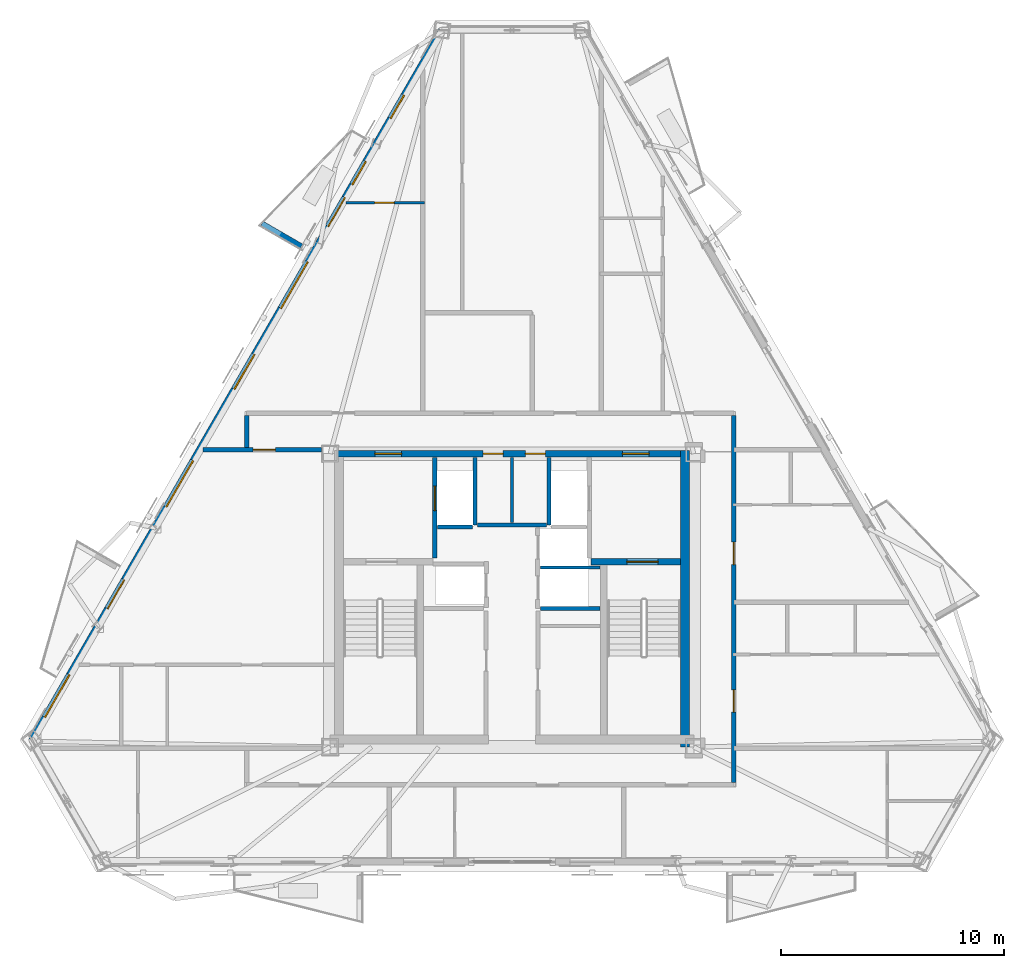
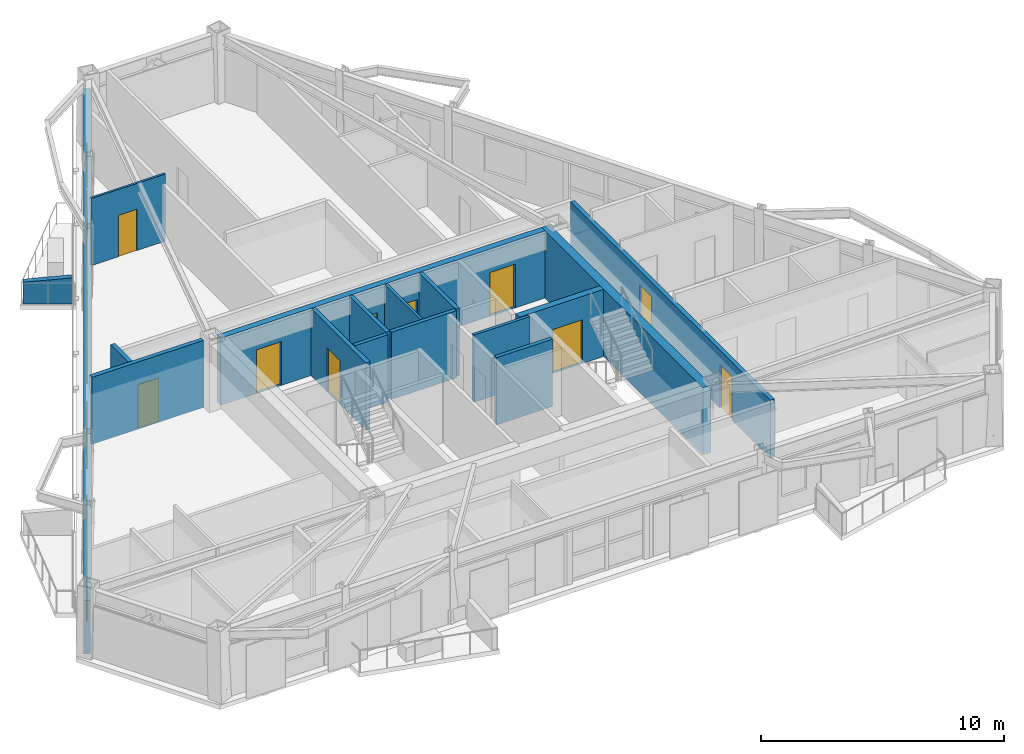
# One storey, part 7 of 12: 17 walls, 12 doors, 6 windows, 18 openings.
"""IFC4 building model written with IfcOpenShell, lengths in metres."""

from ifc_helpers import new_model, si_unit, direction, frame, frame_2d, origin, place, context, subcontext, project, spatial, polyline, rectangle, outline, extrude, material, layer, layer_set, type_object, element, fill, save


model = new_model("IFC4")

# Units and contexts
model_context = context("Model", 3, precision=1e-05, world=origin(), true_north=direction((0.0, 1.0)))
body_context = subcontext(model_context, "Body", "Model", "MODEL_VIEW")
ifc_project = project(units=[si_unit("LENGTHUNIT", "METRE"), si_unit("AREAUNIT", "SQUARE_METRE"), si_unit("VOLUMEUNIT", "CUBIC_METRE"), si_unit("PLANEANGLEUNIT", "RADIAN"), si_unit("MASSUNIT", "GRAM", prefix="KILO")], contexts=[model_context])

# Site, building, storey
site_placement = place(None, origin())
site = spatial("IfcSite", under=ifc_project, at=site_placement, CompositionType="ELEMENT")
building_placement = place(site_placement, origin())
building = spatial("IfcBuilding", under=site, at=building_placement, Name="Oramaril Tower", CompositionType="ELEMENT")
storey_placement = place(building_placement, frame((0.0, 0.0, 227.10009765625)))
storey = spatial("IfcBuildingStorey", under=building, at=storey_placement, Name="L60", CompositionType="ELEMENT", Elevation=227.10009765625)

# Wall, openings, doors, windows
ifc_material_1 = material(Name="Warm Cream Limestone", Category="masonry")
ifc_layer_1 = layer(ifc_material_1, 0.2900390625)
ifc_layer_set_1 = layer_set([ifc_layer_1], Name="WT-EXT29")
wall_type_1 = type_object("IfcWallType", Name="WT-EXT29", PredefinedType="SOLIDWALL", material=ifc_layer_set_1)
wall_1_placement = place(storey_placement, frame((34.343994140625, 43.135009765625, 0.0), z_axis=(0.0, 0.0, 1.0), x_axis=(-0.499998927115, -0.866026023214, 0.0)))
wall_1 = element("IfcWall", 1, at=wall_1_placement, inside=storey, type_object=wall_type_1, Name="L60 Tower Limestone Facade Wall 6M", PredefinedType="SOLIDWALL", context=body_context, shape_type="SweptSolid", body=[
    extrude(rectangle(XDim=36.74169921875, YDim=0.2900390625, at=frame_2d((18.370849609375, 0.0))), origin(), (0.0, 0.0, 1.0), 2.677001953125),
])
opening_1_placement = place(wall_1_placement, frame((8.664306640625, 0.0, 0.0)))
opening_1 = element("IfcOpeningElement", 2, at=opening_1_placement, cuts=wall_1, Name="Opening D-L60-BAL-NW1", PredefinedType="OPENING", context=body_context, shape_type="SweptSolid", body=[
    extrude(rectangle(XDim=1.5, YDim=2.199951171875, at=frame_2d((0.75, 1.10009765625))), frame((0.0, 0.14501953125, 0.0), z_axis=(0.0, -1.0, 0.0), x_axis=(1.0, 0.0, 0.0)), (0.0, 0.0, 1.0), 0.2900390625),
])
opening_2_placement = place(wall_1_placement, frame((28.452392578125, 0.0, 0.0)))
opening_2 = element("IfcOpeningElement", 3, at=opening_2_placement, cuts=wall_1, Name="Opening D-L60-BAL-NW2", PredefinedType="OPENING", context=body_context, shape_type="SweptSolid", body=[
    extrude(rectangle(XDim=1.5, YDim=2.199951171875, at=frame_2d((0.75, 1.10009765625))), frame((0.0, 0.14501953125, 0.0), z_axis=(0.0, -1.0, 0.0), x_axis=(1.0, 0.0, 0.0)), (0.0, 0.0, 1.0), 0.2900390625),
])
opening_3_placement = place(wall_1_placement, frame((22.281982421875, 0.0, 0.85009765625)))
opening_3 = element("IfcOpeningElement", 4, at=opening_3_placement, cuts=wall_1, Name="Opening WN-03", PredefinedType="OPENING", context=body_context, shape_type="SweptSolid", body=[
    extrude(rectangle(XDim=2.39990234375, YDim=1.717041015625, at=frame_2d((1.199951171875, 0.8583984375))), frame((0.0, 0.14501953125, 0.0), z_axis=(0.0, -1.0, 0.0), x_axis=(1.0, 0.0, 0.0)), (0.0, 0.0, 1.0), 0.2900390625),
])
opening_4_placement = place(wall_1_placement, frame((33.36865234375, 0.0, 0.85009765625)))
opening_4 = element("IfcOpeningElement", 5, at=opening_4_placement, cuts=wall_1, Name="Opening WN-04", PredefinedType="OPENING", context=body_context, shape_type="SweptSolid", body=[
    extrude(rectangle(XDim=2.199951171875, YDim=1.717041015625, at=frame_2d((1.10009765625, 0.8583984375))), frame((0.0, 0.14501953125, 0.0), z_axis=(0.0, -1.0, 0.0), x_axis=(1.0, 0.0, 0.0)), (0.0, 0.0, 1.0), 0.2900390625),
])
opening_5_placement = place(wall_1_placement, frame((11.9990234375, 0.0, 0.85009765625)))
opening_5 = element("IfcOpeningElement", 6, at=opening_5_placement, cuts=wall_1, Name="Opening WN-03", PredefinedType="OPENING", context=body_context, shape_type="SweptSolid", body=[
    extrude(rectangle(XDim=2.39990234375, YDim=1.717041015625, at=frame_2d((1.199951171875, 0.8583984375))), frame((0.0, 0.14501953125, 0.0), z_axis=(0.0, -1.0, 0.0), x_axis=(1.0, 0.0, 0.0)), (0.0, 0.0, 1.0), 0.2900390625),
])
opening_6_placement = place(wall_1_placement, frame((16.78271484375, 0.0, 0.85009765625)))
opening_6 = element("IfcOpeningElement", 7, at=opening_6_placement, cuts=wall_1, Name="Opening WN-06", PredefinedType="OPENING", context=body_context, shape_type="SweptSolid", body=[
    extrude(rectangle(XDim=1.800048828125, YDim=1.717041015625, at=frame_2d((0.89990234375, 0.8583984375))), frame((0.0, 0.14501953125, 0.0), z_axis=(0.0, -1.0, 0.0), x_axis=(1.0, 0.0, 0.0)), (0.0, 0.0, 1.0), 0.2900390625),
])
opening_7_placement = place(wall_1_placement, frame((3.365234375, 0.0, 0.85009765625)))
opening_7 = element("IfcOpeningElement", 8, at=opening_7_placement, cuts=wall_1, Name="Opening WN-09", PredefinedType="OPENING", context=body_context, shape_type="SweptSolid", body=[
    extrude(rectangle(XDim=1.199951171875, YDim=1.47998046875, at=frame_2d((0.60009765625, 0.739990234375))), frame((0.0, 0.14501953125, 0.0), z_axis=(0.0, -1.0, 0.0), x_axis=(1.0, 0.0, 0.0)), (0.0, 0.0, 1.0), 0.2900390625),
])
opening_8_placement = place(wall_1_placement, frame((6.79736328125, 0.0, 0.85009765625)))
opening_8 = element("IfcOpeningElement", 9, at=opening_8_placement, cuts=wall_1, Name="Opening WN-09", PredefinedType="OPENING", context=body_context, shape_type="SweptSolid", body=[
    extrude(rectangle(XDim=1.199951171875, YDim=1.47998046875, at=frame_2d((0.60009765625, 0.739990234375))), frame((0.0, 0.14501953125, 0.0), z_axis=(0.0, -1.0, 0.0), x_axis=(1.0, 0.0, 0.0)), (0.0, 0.0, 1.0), 0.2900390625),
])
ifc_material_2 = material(Name="Anodised Aluminium 6063-T6", Category="aluminium")
door_type_1 = type_object("IfcDoorType", Name="DT-BAL", OperationType="NOTDEFINED", PredefinedType="DOOR", material=ifc_material_2)
door_1_placement = place(opening_1_placement, origin())
door_1 = element("IfcDoor", 10, at=door_1_placement, inside=storey, type_object=door_type_1, Name="L60 Balcony Glazed Door L60-BAL-NW1", OperationType="SINGLE_SWING_LEFT", OverallHeight=2.199951171875, OverallWidth=1.5, PredefinedType="DOOR", context=body_context, shape_type="SweptSolid", body=[
    extrude(rectangle(XDim=1.5, YDim=2.199951171875, at=frame_2d((0.75, 1.10009765625))), frame((0.0, 0.02490234375, 0.0), z_axis=(0.0, -1.0, 0.0), x_axis=(1.0, 0.0, 0.0)), (0.0, 0.0, 1.0), 0.050048828125),
])
fill(opening_1, door_1)
door_2_placement = place(opening_2_placement, origin())
door_2 = element("IfcDoor", 11, at=door_2_placement, inside=storey, type_object=door_type_1, Name="L60 Balcony Glazed Door L60-BAL-NW2", OperationType="SINGLE_SWING_RIGHT", OverallHeight=2.199951171875, OverallWidth=1.5, PredefinedType="DOOR", context=body_context, shape_type="SweptSolid", body=[
    extrude(rectangle(XDim=1.5, YDim=2.199951171875, at=frame_2d((0.75, 1.10009765625))), frame((0.0, 0.02490234375, 0.0), z_axis=(0.0, -1.0, 0.0), x_axis=(1.0, 0.0, 0.0)), (0.0, 0.0, 1.0), 0.050048828125),
])
fill(opening_2, door_2)
ifc_material_3 = material(Name="Coastal Low-E Insulated Glass", Category="glass")
window_type_1 = type_object("IfcWindowType", Name="WNT-03", PartitioningType="SINGLE_PANEL", PredefinedType="WINDOW", material=ifc_material_3)
window_1_placement = place(opening_3_placement, origin())
window_1 = element("IfcWindow", 12, at=window_1_placement, inside=storey, type_object=window_type_1, Name="L60 Chicago Bay Window WN-03", OverallHeight=1.717041015625, OverallWidth=2.39990234375, PartitioningType="SINGLE_PANEL", PredefinedType="WINDOW", context=body_context, shape_type="SweptSolid", body=[
    extrude(rectangle(XDim=2.39990234375, YDim=1.717041015625, at=frame_2d((1.199951171875, 0.8583984375))), frame((0.0, 0.030029296875, 0.0), z_axis=(0.0, -1.0, 0.0), x_axis=(1.0, 0.0, 0.0)), (0.0, 0.0, 1.0), 0.06005859375),
])
fill(opening_3, window_1)
window_2_placement = place(opening_5_placement, origin())
window_2 = element("IfcWindow", 13, at=window_2_placement, inside=storey, type_object=window_type_1, Name="L60 Chicago Bay Window WN-03", OverallHeight=1.717041015625, OverallWidth=2.39990234375, PartitioningType="SINGLE_PANEL", PredefinedType="WINDOW", context=body_context, shape_type="SweptSolid", body=[
    extrude(rectangle(XDim=2.39990234375, YDim=1.717041015625, at=frame_2d((1.199951171875, 0.8583984375))), frame((0.0, 0.030029296875, 0.0), z_axis=(0.0, -1.0, 0.0), x_axis=(1.0, 0.0, 0.0)), (0.0, 0.0, 1.0), 0.06005859375),
])
fill(opening_5, window_2)
ifc_material_4 = material(Name="Coastal Low-E Insulated Glass", Category="glass")
window_type_2 = type_object("IfcWindowType", Name="WNT-04", PartitioningType="SINGLE_PANEL", PredefinedType="WINDOW", material=ifc_material_4)
window_3_placement = place(opening_4_placement, origin())
window_3 = element("IfcWindow", 14, at=window_3_placement, inside=storey, type_object=window_type_2, Name="L60 Chicago Bay Window WN-04", OverallHeight=1.717041015625, OverallWidth=2.199951171875, PartitioningType="SINGLE_PANEL", PredefinedType="WINDOW", context=body_context, shape_type="SweptSolid", body=[
    extrude(rectangle(XDim=2.199951171875, YDim=1.717041015625, at=frame_2d((1.10009765625, 0.8583984375))), frame((0.0, 0.030029296875, 0.0), z_axis=(0.0, -1.0, 0.0), x_axis=(1.0, 0.0, 0.0)), (0.0, 0.0, 1.0), 0.06005859375),
])
fill(opening_4, window_3)
ifc_material_5 = material(Name="Coastal Low-E Insulated Glass", Category="glass")
window_type_3 = type_object("IfcWindowType", Name="WNT-06", PartitioningType="SINGLE_PANEL", PredefinedType="WINDOW", material=ifc_material_5)
window_4_placement = place(opening_6_placement, origin())
window_4 = element("IfcWindow", 15, at=window_4_placement, inside=storey, type_object=window_type_3, Name="L60 Chicago Bay Window WN-06", OverallHeight=1.717041015625, OverallWidth=1.800048828125, PartitioningType="SINGLE_PANEL", PredefinedType="WINDOW", context=body_context, shape_type="SweptSolid", body=[
    extrude(rectangle(XDim=1.800048828125, YDim=1.717041015625, at=frame_2d((0.89990234375, 0.8583984375))), frame((0.0, 0.030029296875, 0.0), z_axis=(0.0, -1.0, 0.0), x_axis=(1.0, 0.0, 0.0)), (0.0, 0.0, 1.0), 0.06005859375),
])
fill(opening_6, window_4)
ifc_material_6 = material(Name="Coastal Low-E Insulated Glass", Category="glass")
window_type_4 = type_object("IfcWindowType", Name="WNT-09", PartitioningType="SINGLE_PANEL", PredefinedType="WINDOW", material=ifc_material_6)
window_5_placement = place(opening_7_placement, origin())
window_5 = element("IfcWindow", 16, at=window_5_placement, inside=storey, type_object=window_type_4, Name="L60 Chicago Bay Window WN-09", OverallHeight=1.47998046875, OverallWidth=1.199951171875, PartitioningType="SINGLE_PANEL", PredefinedType="WINDOW", context=body_context, shape_type="SweptSolid", body=[
    extrude(rectangle(XDim=1.199951171875, YDim=1.47998046875, at=frame_2d((0.60009765625, 0.739990234375))), frame((0.0, 0.030029296875, 0.0), z_axis=(0.0, -1.0, 0.0), x_axis=(1.0, 0.0, 0.0)), (0.0, 0.0, 1.0), 0.06005859375),
])
fill(opening_7, window_5)
window_6_placement = place(opening_8_placement, origin())
window_6 = element("IfcWindow", 17, at=window_6_placement, inside=storey, type_object=window_type_4, Name="L60 Chicago Bay Window WN-09", OverallHeight=1.47998046875, OverallWidth=1.199951171875, PartitioningType="SINGLE_PANEL", PredefinedType="WINDOW", context=body_context, shape_type="SweptSolid", body=[
    extrude(rectangle(XDim=1.199951171875, YDim=1.47998046875, at=frame_2d((0.60009765625, 0.739990234375))), frame((0.0, 0.030029296875, 0.0), z_axis=(0.0, -1.0, 0.0), x_axis=(1.0, 0.0, 0.0)), (0.0, 0.0, 1.0), 0.06005859375),
])
fill(opening_8, window_6)

# Wall
ifc_material_7 = material(Name="Concrete C40/50", Category="concrete")
ifc_layer_2 = layer(ifc_material_7, 0.22998046875)
ifc_layer_set_2 = layer_set([ifc_layer_2], Name="WT-PRP23")
wall_type_2 = type_object("IfcWallType", Name="WT-PRP23", PredefinedType="PARAPET", material=ifc_layer_set_2)
wall_2_placement = place(storey_placement, frame((28.061279296875, 33.44921875, 0.0), z_axis=(0.0, 0.0, 1.0), x_axis=(-0.866012356593, 0.500022597718, 0.0)))
element("IfcWall", 18, at=wall_2_placement, inside=storey, type_object=wall_type_2, Name="L60 Trapezoidal Balcony Frame Cheek L60-BAL-NW1-R", PredefinedType="PARAPET", context=body_context, shape_type="SweptSolid", body=[
    extrude(outline(polyline([(0.0, 0.0), (2.0419921875, 0.0), (2.0419921875, 1.099853515625), (0.0, 1.31982421875), (0.0, 0.0)])), frame((0.0, 0.114990234375, 0.0), z_axis=(0.0, -1.0, 0.0), x_axis=(1.0, 0.0, 0.0)), (0.0, 0.0, 1.0), 0.22998046875),
])

# Wall, opening, door
ifc_material_8 = material(Name="Acoustic Gypsum Board Partition")
ifc_layer_3 = layer(ifc_material_8, 0.10009765625)
ifc_layer_set_3 = layer_set([ifc_layer_3], Name="WT-PT10")
wall_type_3 = type_object("IfcWallType", Name="WT-PT10", PredefinedType="PARTITIONING", material=ifc_layer_set_3)
wall_3_placement = place(storey_placement, frame((30.05029296875, 35.39990234375, 0.0), z_axis=(0.0, 0.0, 1.0), x_axis=(1.0, 0.0, 0.0)))
wall_3 = element("IfcWall", 19, at=wall_3_placement, inside=storey, type_object=wall_type_3, Name="L60 Interior Partition PT-10", PredefinedType="PARTITIONING", context=body_context, shape_type="SweptSolid", body=[
    extrude(rectangle(XDim=3.53173828125, YDim=0.10009765625, at=frame_2d((1.765869140625, 0.0))), origin(), (0.0, 0.0, 1.0), 3.3798828125),
])
opening_9_placement = place(wall_3_placement, frame((1.2861328125, 0.0, 0.0)))
opening_9 = element("IfcOpeningElement", 20, at=opening_9_placement, cuts=wall_3, Name="Opening D-L60-17", PredefinedType="OPENING", context=body_context, shape_type="SweptSolid", body=[
    extrude(rectangle(XDim=0.8798828125, YDim=2.080078125, at=frame_2d((0.43994140625, 1.0400390625))), frame((0.0, 0.050048828125, 0.0), z_axis=(0.0, -1.0, 0.0), x_axis=(1.0, 0.0, 0.0)), (0.0, 0.0, 1.0), 0.10009765625),
])
ifc_material_9 = material(Name="FSC Brazilian Freijo Hardwood", Category="wood")
door_type_2 = type_object("IfcDoorType", Name="DT-BATH", OperationType="NOTDEFINED", PredefinedType="DOOR", material=ifc_material_9)
door_3_placement = place(opening_9_placement, origin())
door_3 = element("IfcDoor", 21, at=door_3_placement, inside=storey, type_object=door_type_2, Name="L60 Flat L60-U7 Bathroom Door D-L60-17", OperationType="SINGLE_SWING_LEFT", OverallHeight=2.080078125, OverallWidth=0.8798828125, PredefinedType="DOOR", context=body_context, shape_type="SweptSolid", body=[
    extrude(rectangle(XDim=0.8798828125, YDim=2.080078125, at=frame_2d((0.43994140625, 1.0400390625))), frame((0.0, 0.02490234375, 0.0), z_axis=(0.0, -1.0, 0.0), x_axis=(1.0, 0.0, 0.0)), (0.0, 0.0, 1.0), 0.050048828125),
])
fill(opening_9, door_3)

# Walls
ifc_material_10 = material(Name="Acoustic Gypsum Board Partition")
ifc_layer_4 = layer(ifc_material_10, 0.139892578125)
ifc_layer_set_4 = layer_set([ifc_layer_4], Name="WT-PT14")
wall_type_4 = type_object("IfcWallType", Name="WT-PT14", PredefinedType="PARTITIONING", material=ifc_layer_set_4)
wall_4_placement = place(storey_placement, frame((38.780029296875, 19.050048828125, 0.0), z_axis=(0.0, 0.0, 1.0), x_axis=(1.0, 0.0, 0.0)))
element("IfcWall", 22, at=wall_4_placement, inside=storey, type_object=wall_type_4, Name="L60 High-Rise Lift H2-H3 Divider", PredefinedType="PARTITIONING", context=body_context, shape_type="SweptSolid", body=[
    extrude(rectangle(XDim=2.659912109375, YDim=0.139892578125, at=frame_2d((1.330078125, 0.0))), origin(), (0.0, 0.0, 1.0), 3.3798828125),
])
wall_5_placement = place(storey_placement, frame((37.5, 21.06005859375, 0.0), z_axis=(0.0, 0.0, 1.0), x_axis=(0.0, 1.0, 0.0)))
element("IfcWall", 23, at=wall_5_placement, inside=storey, type_object=wall_type_4, Name="L60 Core Service Divider", PredefinedType="PARTITIONING", context=body_context, shape_type="SweptSolid", body=[
    extrude(rectangle(XDim=2.919921875, YDim=0.139892578125, at=frame_2d((1.4599609375, 0.0))), origin(), (0.0, 0.0, 1.0), 3.3798828125),
])
ifc_material_11 = material(Name="Autoclaved Cellular Concrete Block", Category="concrete")
ifc_layer_5 = layer(ifc_material_11, 0.179931640625)
ifc_layer_set_5 = layer_set([ifc_layer_5], Name="WT-PT18")
wall_type_5 = type_object("IfcWallType", Name="WT-PT18", PredefinedType="PARTITIONING", material=ifc_layer_set_5)
wall_6_placement = place(storey_placement, frame((35.840087890625, 20.9599609375, 0.0), z_axis=(0.0, 0.0, 1.0), x_axis=(0.0, 1.0, 0.0)))
element("IfcWall", 24, at=wall_6_placement, inside=storey, type_object=wall_type_5, Name="L60 FL-1 East Shaft Wall", PredefinedType="PARTITIONING", context=body_context, shape_type="SweptSolid", body=[
    extrude(rectangle(XDim=3.02001953125, YDim=0.179931640625, at=frame_2d((1.510009765625, 0.0))), origin(), (0.0, 0.0, 1.0), 3.3798828125),
])
wall_7_placement = place(storey_placement, frame((34.159912109375, 20.860107421875, 0.0), z_axis=(0.0, 0.0, 1.0), x_axis=(1.0, 0.0, 0.0)))
element("IfcWall", 25, at=wall_7_placement, inside=storey, type_object=wall_type_5, Name="L60 FL-1 South Shaft Wall", PredefinedType="PARTITIONING", context=body_context, shape_type="SweptSolid", body=[
    extrude(rectangle(XDim=1.580078125, YDim=0.179931640625, at=frame_2d((0.7900390625, 0.0))), origin(), (0.0, 0.0, 1.0), 3.3798828125),
])
wall_8_placement = place(storey_placement, frame((39.159912109375, 20.9599609375, 0.0), z_axis=(0.0, 0.0, 1.0), x_axis=(0.0, 1.0, 0.0)))
element("IfcWall", 26, at=wall_8_placement, inside=storey, type_object=wall_type_5, Name="L60 FL-2 West Shaft Wall", PredefinedType="PARTITIONING", context=body_context, shape_type="SweptSolid", body=[
    extrude(rectangle(XDim=3.02001953125, YDim=0.179931640625, at=frame_2d((1.510009765625, 0.0))), origin(), (0.0, 0.0, 1.0), 3.3798828125),
])
wall_9_placement = place(storey_placement, frame((38.780029296875, 17.199951171875, 0.0), z_axis=(0.0, 0.0, 1.0), x_axis=(1.0, 0.0, 0.0)))
element("IfcWall", 27, at=wall_9_placement, inside=storey, type_object=wall_type_5, Name="L60 High-Rise Lift H2 South Wall", PredefinedType="PARTITIONING", context=body_context, shape_type="SweptSolid", body=[
    extrude(rectangle(XDim=2.659912109375, YDim=0.179931640625, at=frame_2d((1.330078125, 0.0))), origin(), (0.0, 0.0, 1.0), 3.3798828125),
])
wall_10_placement = place(storey_placement, frame((35.949951171875, 20.949951171875, 0.0), z_axis=(0.0, 0.0, 1.0), x_axis=(1.0, 0.0, 0.0)))
element("IfcWall", 28, at=wall_10_placement, inside=storey, type_object=wall_type_5, Name="L60 Lift Lobby North Partition", PredefinedType="PARTITIONING", context=body_context, shape_type="SweptSolid", body=[
    extrude(rectangle(XDim=3.10009765625, YDim=0.179931640625, at=frame_2d((1.550048828125, 0.0))), origin(), (0.0, 0.0, 1.0), 3.3798828125),
])

# Wall, opening, door
ifc_material_12 = material(Name="Autoclaved Cellular Concrete Block", Category="concrete")
ifc_layer_6 = layer(ifc_material_12, 0.199951171875)
ifc_layer_set_6 = layer_set([ifc_layer_6], Name="WT-PT20")
wall_type_6 = type_object("IfcWallType", Name="WT-PT20", PredefinedType="PARTITIONING", material=ifc_layer_set_6)
wall_11_placement = place(storey_placement, frame((23.6533203125, 24.320068359375, 0.0), z_axis=(0.0, 0.0, 1.0), x_axis=(1.0, 0.0, 0.0)))
wall_11 = element("IfcWall", 29, at=wall_11_placement, inside=storey, type_object=wall_type_6, Name="L60 Interior Partition PT-20", PredefinedType="PARTITIONING", context=body_context, shape_type="SweptSolid", body=[
    extrude(rectangle(XDim=5.306640625, YDim=0.199951171875, at=frame_2d((2.6533203125, 0.0))), origin(), (0.0, 0.0, 1.0), 3.3798828125),
])
opening_10_placement = place(wall_11_placement, frame((2.235107421875, 0.0, 0.0)))
opening_10 = element("IfcOpeningElement", 30, at=opening_10_placement, cuts=wall_11, Name="Opening D-L60-12", PredefinedType="OPENING", context=body_context, shape_type="SweptSolid", body=[
    extrude(rectangle(XDim=1.0, YDim=2.179931640625, at=frame_2d((0.5, 1.08984375))), frame((0.0, 0.10009765625, 0.0), z_axis=(0.0, -1.0, 0.0), x_axis=(1.0, 0.0, 0.0)), (0.0, 0.0, 1.0), 0.199951171875),
])
ifc_material_13 = material(Name="FSC Brazilian Freijo Hardwood", Category="wood")
door_type_3 = type_object("IfcDoorType", Name="DT-APT", OperationType="NOTDEFINED", PredefinedType="DOOR", material=ifc_material_13)
door_4_placement = place(opening_10_placement, origin())
door_4 = element("IfcDoor", 31, at=door_4_placement, inside=storey, type_object=door_type_3, Name="L60 Flat L60-U4 Penthouse Living and Dining Room Door D-L60-12", OperationType="SINGLE_SWING_RIGHT", OverallHeight=2.179931640625, OverallWidth=1.0, PredefinedType="DOOR", context=body_context, shape_type="SweptSolid", body=[
    extrude(rectangle(XDim=1.0, YDim=2.179931640625, at=frame_2d((0.5, 1.08984375))), frame((0.0, 0.02490234375, 0.0), z_axis=(0.0, -1.0, 0.0), x_axis=(1.0, 0.0, 0.0)), (0.0, 0.0, 1.0), 0.050048828125),
])
fill(opening_10, door_4)

# Wall
wall_12_placement = place(storey_placement, frame((25.60009765625, 24.424072265625, 0.0), z_axis=(0.0, 0.0, 1.0), x_axis=(0.0, 1.0, 0.0)))
element("IfcWall", 32, at=wall_12_placement, inside=storey, type_object=wall_type_6, Name="L60 Interior Partition PT-20", PredefinedType="PARTITIONING", context=body_context, shape_type="SweptSolid", body=[
    extrude(rectangle(XDim=1.44189453125, YDim=0.199951171875, at=frame_2d((0.720947265625, 0.0))), origin(), (0.0, 0.0, 1.0), 3.3798828125),
])

# Wall, openings, doors
wall_13_placement = place(storey_placement, frame((47.449951171875, 9.404052734375, 0.0), z_axis=(0.0, 0.0, 1.0), x_axis=(0.0, 1.0, 0.0)))
wall_13 = element("IfcWall", 33, at=wall_13_placement, inside=storey, type_object=wall_type_6, Name="L60 Interior Partition PT-20", PredefinedType="PARTITIONING", context=body_context, shape_type="SweptSolid", body=[
    extrude(rectangle(XDim=16.4619140625, YDim=0.199951171875, at=frame_2d((8.23095703125, 0.0))), origin(), (0.0, 0.0, 1.0), 2.912841796875),
])
opening_11_placement = place(wall_13_placement, frame((3.1630859375, 0.0, 0.0)))
opening_11 = element("IfcOpeningElement", 34, at=opening_11_placement, cuts=wall_13, Name="Opening D-L60-24", PredefinedType="OPENING", context=body_context, shape_type="SweptSolid", body=[
    extrude(rectangle(XDim=1.0, YDim=2.179931640625, at=frame_2d((0.5, 1.08984375))), frame((0.0, 0.10009765625, 0.0), z_axis=(0.0, -1.0, 0.0), x_axis=(1.0, 0.0, 0.0)), (0.0, 0.0, 1.0), 0.199951171875),
])
opening_12_placement = place(wall_13_placement, frame((9.7783203125, 0.0, 0.0)))
opening_12 = element("IfcOpeningElement", 35, at=opening_12_placement, cuts=wall_13, Name="Opening D-L60-25", PredefinedType="OPENING", context=body_context, shape_type="SweptSolid", body=[
    extrude(rectangle(XDim=1.0, YDim=2.179931640625, at=frame_2d((0.5, 1.08984375))), frame((0.0, 0.10009765625, 0.0), z_axis=(0.0, -1.0, 0.0), x_axis=(1.0, 0.0, 0.0)), (0.0, 0.0, 1.0), 0.199951171875),
])
door_5_placement = place(opening_11_placement, origin())
door_5 = element("IfcDoor", 36, at=door_5_placement, inside=storey, type_object=door_type_3, Name="L60 Flat L60-U5 Studio Apartment Door D-L60-24", OperationType="SINGLE_SWING_RIGHT", OverallHeight=2.179931640625, OverallWidth=1.0, PredefinedType="DOOR", context=body_context, shape_type="SweptSolid", body=[
    extrude(rectangle(XDim=1.0, YDim=2.179931640625, at=frame_2d((0.5, 1.08984375))), frame((0.0, 0.02490234375, 0.0), z_axis=(0.0, -1.0, 0.0), x_axis=(1.0, 0.0, 0.0)), (0.0, 0.0, 1.0), 0.050048828125),
])
fill(opening_11, door_5)
door_6_placement = place(opening_12_placement, origin())
door_6 = element("IfcDoor", 37, at=door_6_placement, inside=storey, type_object=door_type_3, Name="L60 Flat L60-U6 Studio Apartment Door D-L60-25", OperationType="SINGLE_SWING_LEFT", OverallHeight=2.179931640625, OverallWidth=1.0, PredefinedType="DOOR", context=body_context, shape_type="SweptSolid", body=[
    extrude(rectangle(XDim=1.0, YDim=2.179931640625, at=frame_2d((0.5, 1.08984375))), frame((0.0, 0.02490234375, 0.0), z_axis=(0.0, -1.0, 0.0), x_axis=(1.0, 0.0, 0.0)), (0.0, 0.0, 1.0), 0.050048828125),
])
fill(opening_12, door_6)

ifc_material_14 = material(Name="Concrete C50/60", Category="concrete")
ifc_layer_7 = layer(ifc_material_14, 0.300048828125)
ifc_layer_set_7 = layer_set([ifc_layer_7], Name="WT-SH30")
wall_type_7 = type_object("IfcWallType", Name="WT-SH30", PredefinedType="SHEAR", material=ifc_layer_set_7)
wall_14_placement = place(storey_placement, frame((29.64990234375, 24.14990234375, 0.0), z_axis=(0.0, 0.0, 1.0), x_axis=(1.0, 0.0, 0.0)))
wall_14 = element("IfcWall", 38, at=wall_14_placement, inside=storey, type_object=wall_type_7, Name="L60 Core Shear Wall CW-N", PredefinedType="SHEAR", context=body_context, shape_type="SweptSolid", body=[
    extrude(rectangle(XDim=15.7001953125, YDim=0.300048828125, at=frame_2d((7.85009765625, 0.0))), origin(), (0.0, 0.0, 1.0), 3.3798828125),
])
opening_13_placement = place(wall_14_placement, frame((1.699951171875, 0.0, 0.0)))
opening_13 = element("IfcOpeningElement", 39, at=opening_13_placement, cuts=wall_14, Name="Opening D-L60-FFL1", PredefinedType="OPENING", context=body_context, shape_type="SweptSolid", body=[
    extrude(rectangle(XDim=1.199951171875, YDim=2.199951171875, at=frame_2d((0.60009765625, 1.10009765625))), frame((0.0, 0.14990234375, 0.0), z_axis=(0.0, -1.0, 0.0), x_axis=(1.0, 0.0, 0.0)), (0.0, 0.0, 1.0), 0.300048828125),
])
opening_14_placement = place(wall_14_placement, frame((12.800048828125, 0.0, 0.0)))
opening_14 = element("IfcOpeningElement", 40, at=opening_14_placement, cuts=wall_14, Name="Opening D-L60-FFL2", PredefinedType="OPENING", context=body_context, shape_type="SweptSolid", body=[
    extrude(rectangle(XDim=1.199951171875, YDim=2.199951171875, at=frame_2d((0.60009765625, 1.10009765625))), frame((0.0, 0.14990234375, 0.0), z_axis=(0.0, -1.0, 0.0), x_axis=(1.0, 0.0, 0.0)), (0.0, 0.0, 1.0), 0.300048828125),
])
opening_15_placement = place(wall_14_placement, frame((6.550048828125, 0.0, 0.0)))
opening_15 = element("IfcOpeningElement", 41, at=opening_15_placement, cuts=wall_14, Name="Opening D-L60-SV1", PredefinedType="OPENING", context=body_context, shape_type="SweptSolid", body=[
    extrude(rectangle(XDim=0.89990234375, YDim=2.050048828125, at=frame_2d((0.449951171875, 1.02490234375))), frame((0.0, 0.14990234375, 0.0), z_axis=(0.0, -1.0, 0.0), x_axis=(1.0, 0.0, 0.0)), (0.0, 0.0, 1.0), 0.300048828125),
])
opening_16_placement = place(wall_14_placement, frame((8.449951171875, 0.0, 0.0)))
opening_16 = element("IfcOpeningElement", 42, at=opening_16_placement, cuts=wall_14, Name="Opening D-L60-SV2", PredefinedType="OPENING", context=body_context, shape_type="SweptSolid", body=[
    extrude(rectangle(XDim=0.89990234375, YDim=2.050048828125, at=frame_2d((0.449951171875, 1.02490234375))), frame((0.0, 0.14990234375, 0.0), z_axis=(0.0, -1.0, 0.0), x_axis=(1.0, 0.0, 0.0)), (0.0, 0.0, 1.0), 0.300048828125),
])
ifc_material_15 = material(Name="Painted Galvanised Steel", Category="steel")
door_type_4 = type_object("IfcDoorType", Name="DT-FFL", OperationType="NOTDEFINED", PredefinedType="DOOR", material=ifc_material_15)
door_7_placement = place(opening_13_placement, origin())
door_7 = element("IfcDoor", 43, at=door_7_placement, inside=storey, type_object=door_type_4, Name="L60 Firefighting Lobby 1 Fire Door", OperationType="SINGLE_SWING_LEFT", OverallHeight=2.199951171875, OverallWidth=1.199951171875, PredefinedType="DOOR", context=body_context, shape_type="SweptSolid", body=[
    extrude(rectangle(XDim=1.199951171875, YDim=2.199951171875, at=frame_2d((0.60009765625, 1.10009765625))), frame((0.0, 0.02490234375, 0.0), z_axis=(0.0, -1.0, 0.0), x_axis=(1.0, 0.0, 0.0)), (0.0, 0.0, 1.0), 0.050048828125),
])
fill(opening_13, door_7)
door_8_placement = place(opening_14_placement, origin())
door_8 = element("IfcDoor", 44, at=door_8_placement, inside=storey, type_object=door_type_4, Name="L60 Firefighting Lobby 2 Fire Door", OperationType="SINGLE_SWING_RIGHT", OverallHeight=2.199951171875, OverallWidth=1.199951171875, PredefinedType="DOOR", context=body_context, shape_type="SweptSolid", body=[
    extrude(rectangle(XDim=1.199951171875, YDim=2.199951171875, at=frame_2d((0.60009765625, 1.10009765625))), frame((0.0, 0.02490234375, 0.0), z_axis=(0.0, -1.0, 0.0), x_axis=(1.0, 0.0, 0.0)), (0.0, 0.0, 1.0), 0.050048828125),
])
fill(opening_14, door_8)
ifc_material_16 = material(Name="Painted Galvanised Steel", Category="steel")
door_type_5 = type_object("IfcDoorType", Name="DT-SVC", OperationType="NOTDEFINED", PredefinedType="DOOR", material=ifc_material_16)
door_9_placement = place(opening_15_placement, origin())
door_9 = element("IfcDoor", 45, at=door_9_placement, inside=storey, type_object=door_type_5, Name="L60 Core Service Store 1 Door", OperationType="SINGLE_SWING_LEFT", OverallHeight=2.050048828125, OverallWidth=0.89990234375, PredefinedType="DOOR", context=body_context, shape_type="SweptSolid", body=[
    extrude(rectangle(XDim=0.89990234375, YDim=2.050048828125, at=frame_2d((0.449951171875, 1.02490234375))), frame((0.0, 0.02490234375, 0.0), z_axis=(0.0, -1.0, 0.0), x_axis=(1.0, 0.0, 0.0)), (0.0, 0.0, 1.0), 0.050048828125),
])
fill(opening_15, door_9)
door_10_placement = place(opening_16_placement, origin())
door_10 = element("IfcDoor", 46, at=door_10_placement, inside=storey, type_object=door_type_5, Name="L60 Core Service Store 2 Door", OperationType="SINGLE_SWING_RIGHT", OverallHeight=2.050048828125, OverallWidth=0.89990234375, PredefinedType="DOOR", context=body_context, shape_type="SweptSolid", body=[
    extrude(rectangle(XDim=0.89990234375, YDim=2.050048828125, at=frame_2d((0.449951171875, 1.02490234375))), frame((0.0, 0.02490234375, 0.0), z_axis=(0.0, -1.0, 0.0), x_axis=(1.0, 0.0, 0.0)), (0.0, 0.0, 1.0), 0.050048828125),
])
fill(opening_16, door_10)

# Wall, opening, door
wall_15_placement = place(storey_placement, frame((41.050048828125, 19.31005859375, 0.0), z_axis=(0.0, 0.0, 1.0), x_axis=(1.0, 0.0, 0.0)))
wall_15 = element("IfcWall", 47, at=wall_15_placement, inside=storey, type_object=wall_type_7, Name="L60 Core Shear Wall CW-ST2N", PredefinedType="SHEAR", context=body_context, shape_type="SweptSolid", body=[
    extrude(rectangle(XDim=4.010009765625, YDim=0.300048828125, at=frame_2d((2.0048828125, 0.0))), origin(), (0.0, 0.0, 1.0), 3.3798828125),
])
opening_17_placement = place(wall_15_placement, frame((1.60009765625, 0.0, 0.0)))
opening_17 = element("IfcOpeningElement", 48, at=opening_17_placement, cuts=wall_15, Name="Opening D-L60-ST2", PredefinedType="OPENING", context=body_context, shape_type="SweptSolid", body=[
    extrude(rectangle(XDim=1.39990234375, YDim=2.199951171875, at=frame_2d((0.699951171875, 1.10009765625))), frame((0.0, 0.14990234375, 0.0), z_axis=(0.0, -1.0, 0.0), x_axis=(1.0, 0.0, 0.0)), (0.0, 0.0, 1.0), 0.300048828125),
])
ifc_material_17 = material(Name="Painted Galvanised Steel", Category="steel")
door_type_6 = type_object("IfcDoorType", Name="DT-ST", OperationType="NOTDEFINED", PredefinedType="DOOR", material=ifc_material_17)
door_11_placement = place(opening_17_placement, origin())
door_11 = element("IfcDoor", 49, at=door_11_placement, inside=storey, type_object=door_type_6, Name="L60 Protected Stair ST-2 Fire Door", OperationType="SINGLE_SWING_RIGHT", OverallHeight=2.199951171875, OverallWidth=1.39990234375, PredefinedType="DOOR", context=body_context, shape_type="SweptSolid", body=[
    extrude(rectangle(XDim=1.39990234375, YDim=2.199951171875, at=frame_2d((0.699951171875, 1.10009765625))), frame((0.0, 0.02490234375, 0.0), z_axis=(0.0, -1.0, 0.0), x_axis=(1.0, 0.0, 0.0)), (0.0, 0.0, 1.0), 0.050048828125),
])
fill(opening_17, door_11)

# Wall
ifc_material_18 = material(Name="Concrete C50/60", Category="concrete")
ifc_layer_8 = layer(ifc_material_18, 0.39990234375)
ifc_layer_set_8 = layer_set([ifc_layer_8], Name="WT-SH40")
wall_type_8 = type_object("IfcWallType", Name="WT-SH40", PredefinedType="SHEAR", material=ifc_layer_set_8)
wall_16_placement = place(storey_placement, frame((45.260009765625, 11.0, 0.0), z_axis=(0.0, 0.0, 1.0), x_axis=(0.0, 1.0, 0.0)))
element("IfcWall", 50, at=wall_16_placement, inside=storey, type_object=wall_type_8, Name="L60 Core Shear Wall CW-E", PredefinedType="SHEAR", context=body_context, shape_type="SweptSolid", body=[
    extrude(rectangle(XDim=13.300048828125, YDim=0.39990234375, at=frame_2d((6.64990234375, 0.0))), origin(), (0.0, 0.0, 1.0), 3.3798828125),
])

# Wall, opening, door
ifc_material_19 = material(Name="Autoclaved Cellular Concrete Block", Category="concrete")
ifc_layer_9 = layer(ifc_material_19, 0.199951171875)
ifc_layer_set_9 = layer_set([ifc_layer_9], Name="WT-SHF20")
wall_type_9 = type_object("IfcWallType", Name="WT-SHF20", PredefinedType="PARTITIONING", material=ifc_layer_set_9)
wall_17_placement = place(storey_placement, frame((34.0400390625, 19.47998046875, 0.0), z_axis=(0.0, 0.0, 1.0), x_axis=(0.0, 1.0, 0.0)))
wall_17 = element("IfcWall", 51, at=wall_17_placement, inside=storey, type_object=wall_type_9, Name="L60 FL-1 Lobby Shaft Wall", PredefinedType="PARTITIONING", context=body_context, shape_type="SweptSolid", body=[
    extrude(rectangle(XDim=4.5, YDim=0.199951171875, at=frame_2d((2.25, 0.0))), origin(), (0.0, 0.0, 1.0), 3.3798828125),
])
opening_18_placement = place(wall_17_placement, frame((2.1201171875, 0.0, 0.0)))
opening_18 = element("IfcOpeningElement", 52, at=opening_18_placement, cuts=wall_17, Name="Opening LD-L60-FL-1", PredefinedType="OPENING", context=body_context, shape_type="SweptSolid", body=[
    extrude(rectangle(XDim=1.10009765625, YDim=2.199951171875, at=frame_2d((0.550048828125, 1.10009765625))), frame((0.0, 0.10009765625, 0.0), z_axis=(0.0, -1.0, 0.0), x_axis=(1.0, 0.0, 0.0)), (0.0, 0.0, 1.0), 0.199951171875),
])
ifc_material_20 = material(Name="Stainless Steel 316L", Category="steel")
door_type_7 = type_object("IfcDoorType", Name="DT-LD1", OperationType="NOTDEFINED", PredefinedType="DOOR", material=ifc_material_20)
door_12_placement = place(opening_18_placement, origin())
door_12 = element("IfcDoor", 53, at=door_12_placement, inside=storey, type_object=door_type_7, Name="L60 Lift FL-1 Sliding Landing Door", OperationType="SLIDING_TO_LEFT", OverallHeight=2.199951171875, OverallWidth=1.10009765625, PredefinedType="DOOR", context=body_context, shape_type="SweptSolid", body=[
    extrude(rectangle(XDim=1.10009765625, YDim=2.199951171875, at=frame_2d((0.550048828125, 1.10009765625))), frame((0.0, 0.02490234375, 0.0), z_axis=(0.0, -1.0, 0.0), x_axis=(1.0, 0.0, 0.0)), (0.0, 0.0, 1.0), 0.050048828125),
])
fill(opening_18, door_12)

save(model, "model.ifc")
